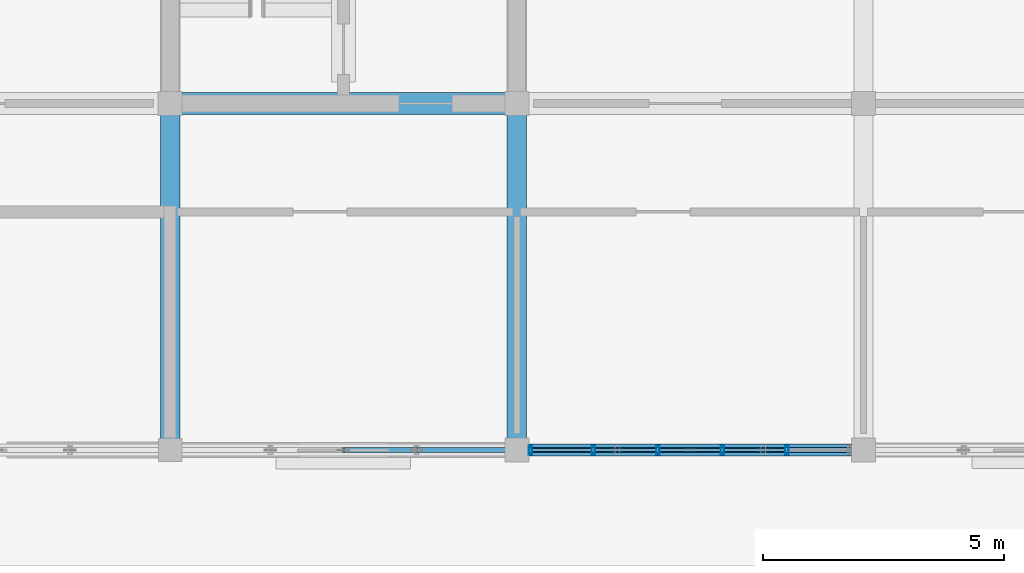
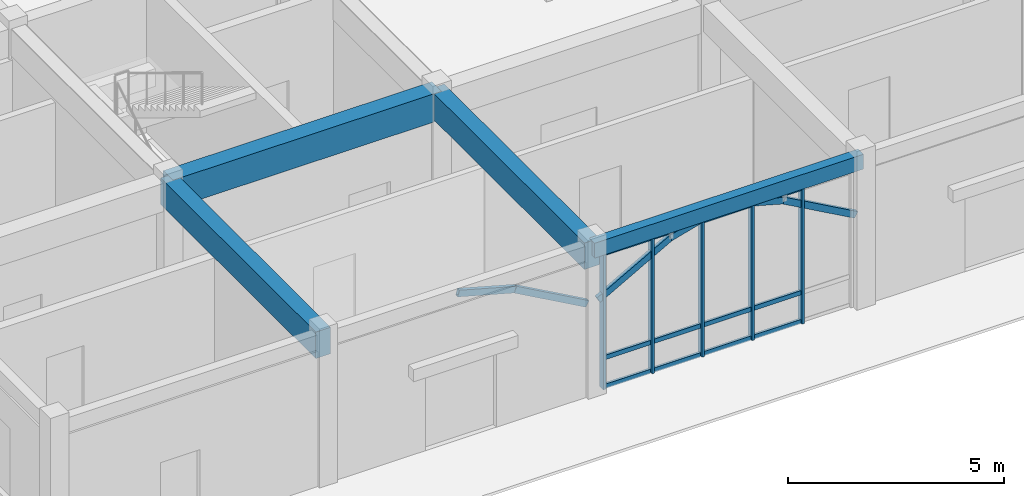
# One storey, part 15 of 138: 23 members, 4 beams, 1 element without a shape of its own.
"""IFC4 building model written with IfcOpenShell, lengths in metres."""

from ifc_helpers import new_model, si_unit, direction, frame, origin, origin_2d, place, context, subcontext, project, spatial, rectangle, hollow_rectangle, extrude, material, layer, layer_set, material_profile, profile_set, type_object, element, aggregate, save


model = new_model("IFC4")

# Units and contexts
model_context = context("Model", 3, precision=1e-05, world=origin(), true_north=direction((0.0, 1.0)))
body_context = subcontext(model_context, "Body", "Model", "MODEL_VIEW")
ifc_project = project(units=[si_unit("LENGTHUNIT", "METRE"), si_unit("AREAUNIT", "SQUARE_METRE"), si_unit("VOLUMEUNIT", "CUBIC_METRE"), si_unit("PLANEANGLEUNIT", "RADIAN"), si_unit("MASSUNIT", "GRAM", prefix="KILO"), si_unit("THERMODYNAMICTEMPERATUREUNIT", "KELVIN"), si_unit("POWERUNIT", "WATT")], contexts=[model_context])

# Site, building, storey
site_placement = place(None, origin())
site = spatial("IfcSite", under=ifc_project, at=site_placement, CompositionType="ELEMENT")
building_placement = place(site_placement, origin())
building = spatial("IfcBuilding", under=site, at=building_placement, Name="Tavuni Mirador Residences", CompositionType="ELEMENT")
storey_placement = place(building_placement, origin())
storey = spatial("IfcBuildingStorey", under=building, at=storey_placement, Name="L00", CompositionType="ELEMENT", Elevation=0.0)

# Beams
ifc_material_1 = material(Name="Precast concrete C40/50", Category="concrete")
ifc_material_profile_1 = material_profile(ifc_material_1, rectangle(XDim=0.39990234375, YDim=0.75, at=origin_2d()), Name="RC 400x750", Category="concrete")
ifc_profile_set_1 = profile_set([ifc_material_profile_1], Name="Precast concrete C40/50")
beam_type_1 = type_object("IfcBeamType", Name="BT-G750", PredefinedType="USERDEFINED", material=ifc_profile_set_1)
for number, where, z_axis, x_axis, name in (
    (1, (54.0, 7.199951171875, 3.885009765625), (0.0, 1.0, 0.0), (-1.0, 0.0, 0.0), "BMY-PAV-SHOP-L00-01-00"),
    (2, (61.199951171875, 7.199951171875, 3.885009765625), (0.0, 1.0, 0.0), (-1.0, 0.0, 0.0), "BMY-PAV-SHOP-L00-02-00"),
):
    element("IfcBeam", number, at=place(storey_placement, frame(where, z_axis=z_axis, x_axis=x_axis)), inside=storey, type_object=beam_type_1, Name=name, ObjectType="GIRDER", PredefinedType="USERDEFINED", context=body_context, shape_type="SweptSolid", body=[
        extrude(rectangle(XDim=0.39990234375, YDim=0.75, at=origin_2d()), origin(), (0.0, 0.0, 1.0), 7.199951171875),
    ])
ifc_material_profile_2 = material_profile(ifc_material_1, rectangle(XDim=0.449951171875, YDim=0.800048828125, at=origin_2d()), Name="RC 450x800", Category="concrete")
ifc_profile_set_2 = profile_set([ifc_material_profile_2], Name="Precast concrete C40/50")
beam_type_2 = type_object("IfcBeamType", Name="BT-G800", PredefinedType="USERDEFINED", material=ifc_profile_set_2)
beam_1_placement = place(storey_placement, frame((54.0, 14.39990234375, 3.860107421875), z_axis=(1.0, 0.0, 0.0), x_axis=(0.0, 1.0, 0.0)))
element("IfcBeam", 3, at=beam_1_placement, inside=storey, type_object=beam_type_2, Name="BMX-PAV-SHOP-L00-01-01", ObjectType="GIRDER", PredefinedType="USERDEFINED", context=body_context, shape_type="SweptSolid", body=[
    extrude(rectangle(XDim=0.449951171875, YDim=0.800048828125, at=origin_2d()), origin(), (0.0, 0.0, 1.0), 7.199951171875),
])
ifc_material_profile_3 = material_profile(ifc_material_1, rectangle(XDim=0.25, YDim=0.419921875, at=origin_2d()), Name="PC 250x420", Category="concrete")
ifc_profile_set_3 = profile_set([ifc_material_profile_3], Name="Precast concrete C40/50")
beam_type_3 = type_object("IfcBeamType", Name="BT-SP420", PredefinedType="SPANDREL", material=ifc_profile_set_3)
beam_2_placement = place(storey_placement, frame((61.199951171875, 7.199951171875, 4.050048828125), z_axis=(1.0, 0.0, 0.0), x_axis=(0.0, 1.0, 0.0)))
element("IfcBeam", 4, at=beam_2_placement, inside=storey, type_object=beam_type_3, Name="BMX-PAV-SHOP-L00-02-00", PredefinedType="SPANDREL", context=body_context, shape_type="SweptSolid", body=[
    extrude(rectangle(XDim=0.25, YDim=0.419921875, at=origin_2d()), origin(), (0.0, 0.0, 1.0), 7.199951171875),
])

# Curtain wall, members
ifc_material_2 = material(Name="Anodised aluminium", Category="aluminium")
ifc_layer = layer(ifc_material_2, 0.18994140625, Name="Anodised aluminium", Category="aluminium")
ifc_layer_set = layer_set([ifc_layer], Name="Anodised aluminium")
curtain_wall_type = type_object("IfcCurtainWallType", Name="CWT-SHP-01", PredefinedType="NOTDEFINED", material=ifc_layer_set)
curtain_wall_placement = place(storey_placement, origin())
curtain_wall = element("IfcCurtainWall", 5, at=curtain_wall_placement, inside=storey, type_object=curtain_wall_type, Name="CW-PAV-SHOP-L00-S02", PredefinedType="NOTDEFINED")
ifc_material_profile_4 = material_profile(ifc_material_2, hollow_rectangle(XDim=0.070068359375, YDim=0.18994140625, WallThickness=0.0048828125, at=origin_2d()), Name="ALU 70x190x5.0", Category="aluminium")
ifc_profile_set_4 = profile_set([ifc_material_profile_4], Name="Anodised aluminium")
member_type_1 = type_object("IfcMemberType", Name="CWM-190", PredefinedType="MULLION", material=ifc_profile_set_4)
member_1_placement = place(storey_placement, frame((61.485107421875, 7.199951171875, 0.0), z_axis=(0.0, 0.0, 1.0), x_axis=(1.0, 0.0, 0.0)))
member_1 = element("IfcMember", 6, at=member_1_placement, type_object=member_type_1, Name="CW-05 mullion 1", PredefinedType="MULLION", context=body_context, shape_type="SweptSolid", body=[
    extrude(hollow_rectangle(XDim=0.070068359375, YDim=0.18994140625, WallThickness=0.0048828125, at=origin_2d()), origin(), (0.0, 0.0, 1.0), 3.830078125),
])
member_2_placement = place(storey_placement, frame((62.7900390625, 7.199951171875, 0.0), z_axis=(0.0, 0.0, 1.0), x_axis=(1.0, 0.0, 0.0)))
member_2 = element("IfcMember", 7, at=member_2_placement, type_object=member_type_1, Name="CW-05 mullion 2", PredefinedType="MULLION", context=body_context, shape_type="SweptSolid", body=[
    extrude(hollow_rectangle(XDim=0.070068359375, YDim=0.18994140625, WallThickness=0.0048828125, at=origin_2d()), origin(), (0.0, 0.0, 1.0), 3.830078125),
])
member_3_placement = place(storey_placement, frame((64.1298828125, 7.199951171875, 0.0), z_axis=(0.0, 0.0, 1.0), x_axis=(1.0, 0.0, 0.0)))
member_3 = element("IfcMember", 8, at=member_3_placement, type_object=member_type_1, Name="CW-05 mullion 3", PredefinedType="MULLION", context=body_context, shape_type="SweptSolid", body=[
    extrude(hollow_rectangle(XDim=0.070068359375, YDim=0.18994140625, WallThickness=0.0048828125, at=origin_2d()), origin(), (0.0, 0.0, 1.0), 3.830078125),
])
member_4_placement = place(storey_placement, frame((65.469970703125, 7.199951171875, 0.0), z_axis=(0.0, 0.0, 1.0), x_axis=(1.0, 0.0, 0.0)))
member_4 = element("IfcMember", 9, at=member_4_placement, type_object=member_type_1, Name="CW-05 mullion 4", PredefinedType="MULLION", context=body_context, shape_type="SweptSolid", body=[
    extrude(hollow_rectangle(XDim=0.070068359375, YDim=0.18994140625, WallThickness=0.0048828125, at=origin_2d()), origin(), (0.0, 0.0, 1.0), 3.830078125),
])
member_5_placement = place(storey_placement, frame((66.81005859375, 7.199951171875, 0.0), z_axis=(0.0, 0.0, 1.0), x_axis=(1.0, 0.0, 0.0)))
member_5 = element("IfcMember", 10, at=member_5_placement, type_object=member_type_1, Name="CW-05 mullion 5", PredefinedType="MULLION", context=body_context, shape_type="SweptSolid", body=[
    extrude(hollow_rectangle(XDim=0.070068359375, YDim=0.18994140625, WallThickness=0.0048828125, at=origin_2d()), origin(), (0.0, 0.0, 1.0), 3.830078125),
])
ifc_material_profile_5 = material_profile(ifc_material_2, hollow_rectangle(XDim=0.06494140625, YDim=0.125, WallThickness=0.00439453125, at=origin_2d()), Name="ALU 65x125x4.5", Category="aluminium")
ifc_profile_set_5 = profile_set([ifc_material_profile_5], Name="Anodised aluminium")
member_type_2 = type_object("IfcMemberType", Name="CWT-125", PredefinedType="USERDEFINED", material=ifc_profile_set_5)
member_6_placement = place(storey_placement, frame((61.52001953125, 7.199951171875, 0.032470703125), z_axis=(1.0, 0.0, 0.0), x_axis=(0.0, 1.0, 0.0)))
member_6 = element("IfcMember", 11, at=member_6_placement, type_object=member_type_2, Name="CW-05 transom 1.1", ObjectType="TRANSOM", PredefinedType="USERDEFINED", context=body_context, shape_type="SweptSolid", body=[
    extrude(hollow_rectangle(XDim=0.06494140625, YDim=0.125, WallThickness=0.00439453125, at=origin_2d()), origin(), (0.0, 0.0, 1.0), 1.23486328125),
])
member_7_placement = place(storey_placement, frame((61.52001953125, 7.199951171875, 0.85009765625), z_axis=(1.0, 0.0, 0.0), x_axis=(0.0, 1.0, 0.0)))
member_7 = element("IfcMember", 12, at=member_7_placement, type_object=member_type_2, Name="CW-05 transom 1.2", ObjectType="TRANSOM", PredefinedType="USERDEFINED", context=body_context, shape_type="SweptSolid", body=[
    extrude(hollow_rectangle(XDim=0.06494140625, YDim=0.125, WallThickness=0.00439453125, at=origin_2d()), origin(), (0.0, 0.0, 1.0), 1.23486328125),
])
member_8_placement = place(storey_placement, frame((61.52001953125, 7.199951171875, 3.797607421875), z_axis=(1.0, 0.0, 0.0), x_axis=(0.0, 1.0, 0.0)))
member_8 = element("IfcMember", 13, at=member_8_placement, type_object=member_type_2, Name="CW-05 transom 1.3", ObjectType="TRANSOM", PredefinedType="USERDEFINED", context=body_context, shape_type="SweptSolid", body=[
    extrude(hollow_rectangle(XDim=0.06494140625, YDim=0.125, WallThickness=0.00439453125, at=origin_2d()), origin(), (0.0, 0.0, 1.0), 1.23486328125),
])
member_9_placement = place(storey_placement, frame((62.824951171875, 7.199951171875, 0.032470703125), z_axis=(1.0, 0.0, 0.0), x_axis=(0.0, 1.0, 0.0)))
member_9 = element("IfcMember", 14, at=member_9_placement, type_object=member_type_2, Name="CW-05 transom 2.1", ObjectType="TRANSOM", PredefinedType="USERDEFINED", context=body_context, shape_type="SweptSolid", body=[
    extrude(hollow_rectangle(XDim=0.06494140625, YDim=0.125, WallThickness=0.00439453125, at=origin_2d()), origin(), (0.0, 0.0, 1.0), 1.27001953125),
])
member_10_placement = place(storey_placement, frame((62.824951171875, 7.199951171875, 0.85009765625), z_axis=(1.0, 0.0, 0.0), x_axis=(0.0, 1.0, 0.0)))
member_10 = element("IfcMember", 15, at=member_10_placement, type_object=member_type_2, Name="CW-05 transom 2.2", ObjectType="TRANSOM", PredefinedType="USERDEFINED", context=body_context, shape_type="SweptSolid", body=[
    extrude(hollow_rectangle(XDim=0.06494140625, YDim=0.125, WallThickness=0.00439453125, at=origin_2d()), origin(), (0.0, 0.0, 1.0), 1.27001953125),
])
member_11_placement = place(storey_placement, frame((62.824951171875, 7.199951171875, 3.797607421875), z_axis=(1.0, 0.0, 0.0), x_axis=(0.0, 1.0, 0.0)))
member_11 = element("IfcMember", 16, at=member_11_placement, type_object=member_type_2, Name="CW-05 transom 2.3", ObjectType="TRANSOM", PredefinedType="USERDEFINED", context=body_context, shape_type="SweptSolid", body=[
    extrude(hollow_rectangle(XDim=0.06494140625, YDim=0.125, WallThickness=0.00439453125, at=origin_2d()), origin(), (0.0, 0.0, 1.0), 1.27001953125),
])
member_12_placement = place(storey_placement, frame((64.1650390625, 7.199951171875, 0.032470703125), z_axis=(1.0, 0.0, 0.0), x_axis=(0.0, 1.0, 0.0)))
member_12 = element("IfcMember", 17, at=member_12_placement, type_object=member_type_2, Name="CW-05 transom 3.1", ObjectType="TRANSOM", PredefinedType="USERDEFINED", context=body_context, shape_type="SweptSolid", body=[
    extrude(hollow_rectangle(XDim=0.06494140625, YDim=0.125, WallThickness=0.00439453125, at=origin_2d()), origin(), (0.0, 0.0, 1.0), 1.27001953125),
])
member_13_placement = place(storey_placement, frame((64.1650390625, 7.199951171875, 0.85009765625), z_axis=(1.0, 0.0, 0.0), x_axis=(0.0, 1.0, 0.0)))
member_13 = element("IfcMember", 18, at=member_13_placement, type_object=member_type_2, Name="CW-05 transom 3.2", ObjectType="TRANSOM", PredefinedType="USERDEFINED", context=body_context, shape_type="SweptSolid", body=[
    extrude(hollow_rectangle(XDim=0.06494140625, YDim=0.125, WallThickness=0.00439453125, at=origin_2d()), origin(), (0.0, 0.0, 1.0), 1.27001953125),
])
member_14_placement = place(storey_placement, frame((64.1650390625, 7.199951171875, 3.797607421875), z_axis=(1.0, 0.0, 0.0), x_axis=(0.0, 1.0, 0.0)))
member_14 = element("IfcMember", 19, at=member_14_placement, type_object=member_type_2, Name="CW-05 transom 3.3", ObjectType="TRANSOM", PredefinedType="USERDEFINED", context=body_context, shape_type="SweptSolid", body=[
    extrude(hollow_rectangle(XDim=0.06494140625, YDim=0.125, WallThickness=0.00439453125, at=origin_2d()), origin(), (0.0, 0.0, 1.0), 1.27001953125),
])
member_15_placement = place(storey_placement, frame((65.5048828125, 7.199951171875, 0.032470703125), z_axis=(1.0, 0.0, 0.0), x_axis=(0.0, 1.0, 0.0)))
member_15 = element("IfcMember", 20, at=member_15_placement, type_object=member_type_2, Name="CW-05 transom 4.1", ObjectType="TRANSOM", PredefinedType="USERDEFINED", context=body_context, shape_type="SweptSolid", body=[
    extrude(hollow_rectangle(XDim=0.06494140625, YDim=0.125, WallThickness=0.00439453125, at=origin_2d()), origin(), (0.0, 0.0, 1.0), 1.27001953125),
])
member_16_placement = place(storey_placement, frame((65.5048828125, 7.199951171875, 0.85009765625), z_axis=(1.0, 0.0, 0.0), x_axis=(0.0, 1.0, 0.0)))
member_16 = element("IfcMember", 21, at=member_16_placement, type_object=member_type_2, Name="CW-05 transom 4.2", ObjectType="TRANSOM", PredefinedType="USERDEFINED", context=body_context, shape_type="SweptSolid", body=[
    extrude(hollow_rectangle(XDim=0.06494140625, YDim=0.125, WallThickness=0.00439453125, at=origin_2d()), origin(), (0.0, 0.0, 1.0), 1.27001953125),
])
member_17_placement = place(storey_placement, frame((65.5048828125, 7.199951171875, 3.797607421875), z_axis=(1.0, 0.0, 0.0), x_axis=(0.0, 1.0, 0.0)))
member_17 = element("IfcMember", 22, at=member_17_placement, type_object=member_type_2, Name="CW-05 transom 4.3", ObjectType="TRANSOM", PredefinedType="USERDEFINED", context=body_context, shape_type="SweptSolid", body=[
    extrude(hollow_rectangle(XDim=0.06494140625, YDim=0.125, WallThickness=0.00439453125, at=origin_2d()), origin(), (0.0, 0.0, 1.0), 1.27001953125),
])
aggregate(curtain_wall, [member_1, member_2, member_3, member_4, member_5, member_6, member_7, member_8, member_9, member_10, member_11, member_12, member_13, member_14, member_15, member_16, member_17])

# Members
ifc_material_3 = material(Name="Structural steel S355", Category="steel")
ifc_material_profile_6 = material_profile(ifc_material_3, hollow_rectangle(XDim=0.10009765625, YDim=0.179931640625, WallThickness=0.008056640625, at=origin_2d()), Name="RHS 180x100x8.0", Category="steel")
ifc_profile_set_6 = profile_set([ifc_material_profile_6], Name="Structural steel S355")
member_type_3 = type_object("IfcMemberType", Name="MT-BR-RHS180", PredefinedType="BRACE", material=ifc_profile_set_6)
member_18_placement = place(storey_placement, frame((57.60009765625, 7.199951171875, 4.050048828125), z_axis=(0.96375516692, 0.0, -0.266788264801), x_axis=(0.0, 1.0, 0.0)))
element("IfcMember", 23, at=member_18_placement, inside=storey, type_object=member_type_3, Name="ARCH-SHOP-S-01-S2", PredefinedType="BRACE", context=body_context, shape_type="SweptSolid", body=[
    extrude(hollow_rectangle(XDim=0.10009765625, YDim=0.179931640625, WallThickness=0.008056640625, at=origin_2d()), origin(), (0.0, 0.0, 1.0), 1.574951171875),
])
member_19_placement = place(storey_placement, frame((59.117919921875, 7.199951171875, 3.6298828125), z_axis=(0.872921377434, 0.0, -0.487860911346), x_axis=(0.0, 1.0, 0.0)))
element("IfcMember", 24, at=member_19_placement, inside=storey, type_object=member_type_3, Name="ARCH-SHOP-S-01-H2", PredefinedType="BRACE", context=body_context, shape_type="SweptSolid", body=[
    extrude(hollow_rectangle(XDim=0.10009765625, YDim=0.179931640625, WallThickness=0.008056640625, at=origin_2d()), origin(), (0.0, 0.0, 1.0), 2.21337890625),
])
member_20_placement = place(storey_placement, frame((61.35009765625, 7.199951171875, 2.550048828125), z_axis=(0.872895121114, 0.0, 0.487907888372), x_axis=(0.0, 1.0, 0.0)))
element("IfcMember", 25, at=member_20_placement, inside=storey, type_object=member_type_3, Name="ARCH-SHOP-S-02-H1", PredefinedType="BRACE", context=body_context, shape_type="SweptSolid", body=[
    extrude(hollow_rectangle(XDim=0.10009765625, YDim=0.179931640625, WallThickness=0.008056640625, at=origin_2d()), origin(), (0.0, 0.0, 1.0), 2.213134765625),
])
for number, where, z_axis, x_axis, name in (
    (26, (63.281982421875, 7.199951171875, 3.6298828125), (0.9637661981, 0.0, 0.266748412179), (0.0, 1.0, 0.0), "ARCH-SHOP-S-02-S1"),
    (27, (64.800048828125, 7.199951171875, 4.050048828125), (0.9637661981, 0.0, -0.266748412179), (0.0, 1.0, 0.0), "ARCH-SHOP-S-02-S2"),
):
    element("IfcMember", number, at=place(storey_placement, frame(where, z_axis=z_axis, x_axis=x_axis)), inside=storey, type_object=member_type_3, Name=name, PredefinedType="BRACE", context=body_context, shape_type="SweptSolid", body=[
        extrude(hollow_rectangle(XDim=0.10009765625, YDim=0.179931640625, WallThickness=0.008056640625, at=origin_2d()), origin(), (0.0, 0.0, 1.0), 1.5751953125),
    ])
member_21_placement = place(storey_placement, frame((66.318115234375, 7.199951171875, 3.6298828125), z_axis=(0.872895121114, 0.0, -0.487907888372), x_axis=(0.0, 1.0, 0.0)))
element("IfcMember", 28, at=member_21_placement, inside=storey, type_object=member_type_3, Name="ARCH-SHOP-S-02-H2", PredefinedType="BRACE", context=body_context, shape_type="SweptSolid", body=[
    extrude(hollow_rectangle(XDim=0.10009765625, YDim=0.179931640625, WallThickness=0.008056640625, at=origin_2d()), origin(), (0.0, 0.0, 1.0), 2.213134765625),
])

save(model, "model.ifc")
